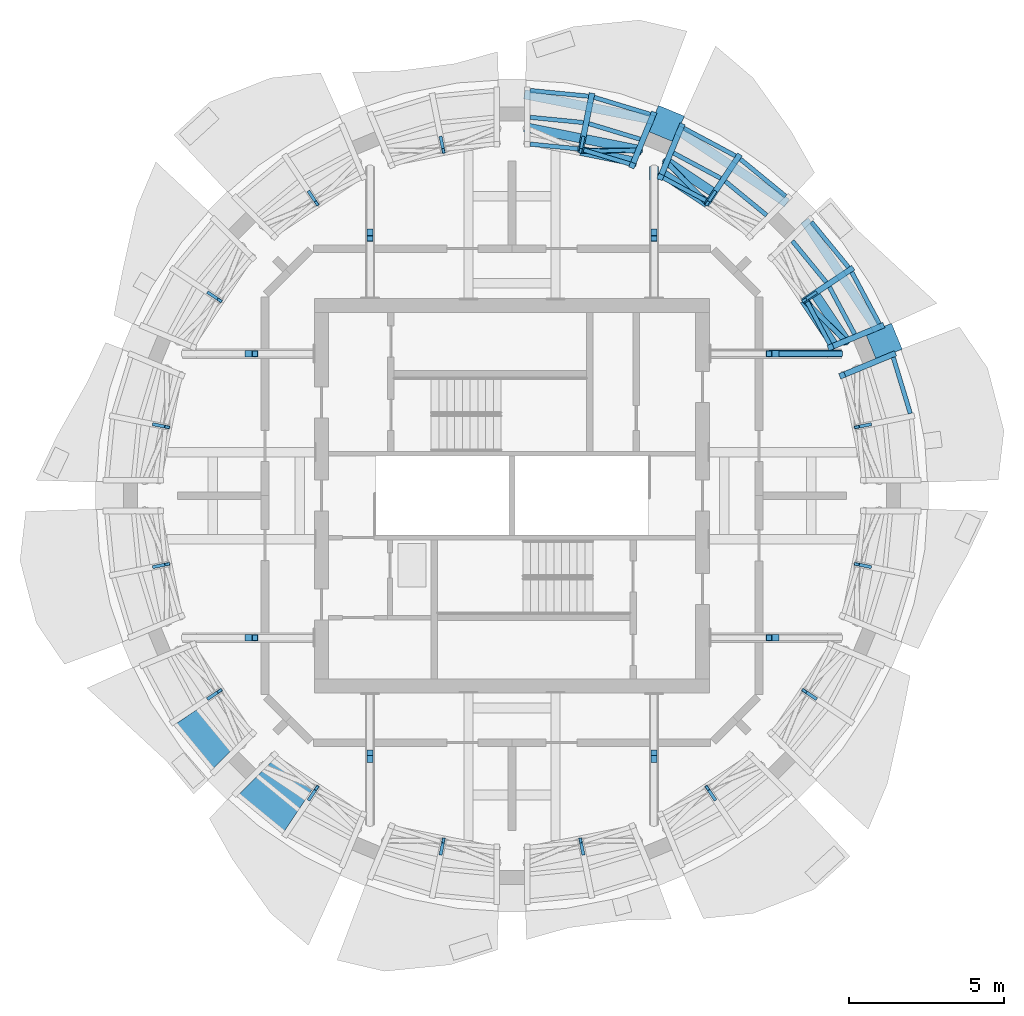
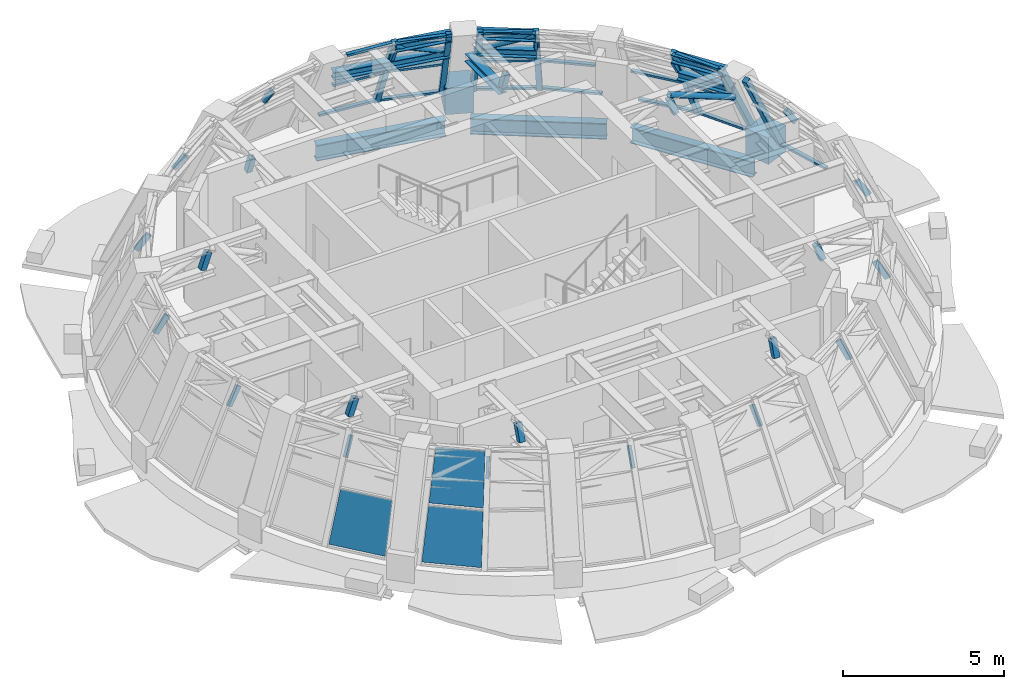
# One storey, part 6 of 12: 62 members, 3 beams, 3 plates, 6 elements without a shape of their own.
"""IFC4 building model written with IfcOpenShell, lengths in metres."""

from ifc_helpers import new_model, si_unit, direction, frame, origin, origin_2d, place, context, subcontext, project, spatial, polyline, rectangle, hollow_rectangle, hollow_circle, i_section, outline, extrude, material, layer, layer_set, material_profile, profile_set, type_object, element, aggregate, save


model = new_model("IFC4")

# Units and contexts
model_context = context("Model", 3, precision=1e-05, world=origin(), true_north=direction((0.0, 1.0)))
body_context = subcontext(model_context, "Body", "Model", "MODEL_VIEW")
ifc_project = project(units=[si_unit("LENGTHUNIT", "METRE"), si_unit("AREAUNIT", "SQUARE_METRE"), si_unit("VOLUMEUNIT", "CUBIC_METRE"), si_unit("PLANEANGLEUNIT", "RADIAN"), si_unit("MASSUNIT", "GRAM", prefix="KILO")], contexts=[model_context])

# Site, building, storey
site_placement = place(None, origin())
site = spatial("IfcSite", under=ifc_project, at=site_placement, CompositionType="ELEMENT")
building_placement = place(site_placement, origin())
building = spatial("IfcBuilding", under=site, at=building_placement, Name="Polderwave Tower", CompositionType="ELEMENT")
storey_placement = place(building_placement, frame((0.0, 0.0, 235.39990234375)))
storey = spatial("IfcBuildingStorey", under=building, at=storey_placement, Name="L64", CompositionType="ELEMENT", Elevation=235.39990234375)

# Members
ifc_material_1 = material(Name="Steel S460", Category="steel")
ifc_material_profile_1 = material_profile(ifc_material_1, i_section(OverallWidth=0.300048828125, OverallDepth=0.300048828125, WebThickness=0.010986328125, FlangeThickness=0.01904296875, at=origin_2d()), Name="HE 300 B")
ifc_profile_set_1 = profile_set([ifc_material_profile_1], Name="Steel S460")
member_type_1 = type_object("IfcMemberType", Name="BELT CHORD HE 300 B", PredefinedType="CHORD", material=ifc_profile_set_1)
member_1_placement = place(storey_placement, frame((10.4326171875, 4.75439453125, 3.25), z_axis=(-0.555617021697, 0.831438347203, 0.0), x_axis=(-0.831438347203, -0.555617021697, 0.0)))
element("IfcMember", 1, at=member_1_placement, inside=storey, type_object=member_type_1, Name="ST-BT-L64-01-TC1", PredefinedType="CHORD", context=body_context, shape_type="SweptSolid", body=[
    extrude(i_section(OverallWidth=0.300048828125, OverallDepth=0.300048828125, WebThickness=0.010986328125, FlangeThickness=0.01904296875, at=origin_2d()), origin(), (0.0, 0.0, 1.0), 1.8427734375),
])
member_2_placement = place(storey_placement, frame((10.806884765625, 4.9091796875, 2.35009765625), z_axis=(-0.555579245802, 0.831463590083, 0.0), x_axis=(-0.831463590083, -0.555579245802, 0.0)))
element("IfcMember", 2, at=member_2_placement, inside=storey, type_object=member_type_1, Name="ST-BT-L64-01-BC1", PredefinedType="CHORD", context=body_context, shape_type="SweptSolid", body=[
    extrude(i_section(OverallWidth=0.300048828125, OverallDepth=0.300048828125, WebThickness=0.010986328125, FlangeThickness=0.01904296875, at=origin_2d()), origin(), (0.0, 0.0, 1.0), 1.922119140625),
])
member_3_placement = place(storey_placement, frame((6.28662109375, 9.40869140625, 3.25), z_axis=(-0.831438347203, 0.555617021697, 0.0), x_axis=(-0.555617021697, -0.831438347203, 0.0)))
element("IfcMember", 3, at=member_3_placement, inside=storey, type_object=member_type_1, Name="ST-BT-L64-02-TC2", PredefinedType="CHORD", context=body_context, shape_type="SweptSolid", body=[
    extrude(i_section(OverallWidth=0.300048828125, OverallDepth=0.300048828125, WebThickness=0.010986328125, FlangeThickness=0.01904296875, at=origin_2d()), origin(), (0.0, 0.0, 1.0), 1.8427734375),
])
member_4_placement = place(storey_placement, frame((6.50732421875, 9.739013671875, 2.35009765625), z_axis=(-0.831463590083, 0.555579245802, 0.0), x_axis=(-0.555579245802, -0.831463590083, 0.0)))
element("IfcMember", 4, at=member_4_placement, inside=storey, type_object=member_type_1, Name="ST-BT-L64-02-BC2", PredefinedType="CHORD", context=body_context, shape_type="SweptSolid", body=[
    extrude(i_section(OverallWidth=0.300048828125, OverallDepth=0.300048828125, WebThickness=0.010986328125, FlangeThickness=0.01904296875, at=origin_2d()), origin(), (0.0, 0.0, 1.0), 1.922119140625),
])
member_5_placement = place(storey_placement, frame((4.01513671875, 10.73876953125, 3.25), z_axis=(-0.980778871524, 0.195122538865, 0.0), x_axis=(-0.195122538865, -0.980778871524, 0.0)))
element("IfcMember", 5, at=member_5_placement, inside=storey, type_object=member_type_1, Name="ST-BT-L64-03-TC1", PredefinedType="CHORD", context=body_context, shape_type="SweptSolid", body=[
    extrude(i_section(OverallWidth=0.300048828125, OverallDepth=0.300048828125, WebThickness=0.010986328125, FlangeThickness=0.01904296875, at=origin_2d()), origin(), (0.0, 0.0, 1.0), 1.843017578125),
])
member_6_placement = place(storey_placement, frame((4.170166015625, 11.113037109375, 2.35009765625), z_axis=(-0.980780477023, 0.195114468684, 0.0), x_axis=(-0.195114468684, -0.980780477023, 0.0)))
element("IfcMember", 6, at=member_6_placement, inside=storey, type_object=member_type_1, Name="ST-BT-L64-03-BC1", PredefinedType="CHORD", context=body_context, shape_type="SweptSolid", body=[
    extrude(i_section(OverallWidth=0.300048828125, OverallDepth=0.300048828125, WebThickness=0.010986328125, FlangeThickness=0.01904296875, at=origin_2d()), origin(), (0.0, 0.0, 1.0), 1.921875),
])
member_7_placement = place(storey_placement, frame((2.28515625, 11.488037109375, 2.35009765625), z_axis=(-0.980785312019, 0.195090163074, 0.0), x_axis=(-0.195090163074, -0.980785312019, 0.0)))
element("IfcMember", 7, at=member_7_placement, inside=storey, type_object=member_type_1, Name="ST-BT-L64-03-BC2", PredefinedType="CHORD", context=body_context, shape_type="SweptSolid", body=[
    extrude(i_section(OverallWidth=0.300048828125, OverallDepth=0.300048828125, WebThickness=0.010986328125, FlangeThickness=0.01904296875, at=origin_2d()), origin(), (0.0, 0.0, 1.0), 1.922119140625),
])
ifc_material_profile_2 = material_profile(ifc_material_1, hollow_circle(Radius=0.084228515625, WallThickness=0.008056640625, at=origin_2d()), Name="CHS 168.3x8")
ifc_profile_set_2 = profile_set([ifc_material_profile_2], Name="Steel S460")
member_type_2 = type_object("IfcMemberType", Name="BELT DIAGONAL CHS 168.3x8", PredefinedType="BRACE", material=ifc_profile_set_2)
for number, where, z_axis, x_axis, name in (
    (8, (10.806884765625, 4.9091796875, 2.35009765625), (-0.647553721279, 0.637942744099, 0.416777198644), (-0.701800503553, -0.71237353489, 0.0), "ST-BT-L64-01-D1"),
    (9, (6.28662109375, 9.40869140625, 3.25), (-0.637942744099, 0.647553721279, -0.416777198644), (-0.71237353489, -0.701800503553, 0.0), "ST-BT-L64-02-D2"),
    (10, (4.170166015625, 11.113037109375, 2.35009765625), (-0.908981434905, -0.006784287361, 0.416781386872), (0.007463407004, -0.99997214839, 0.0), "ST-BT-L64-03-D1"),
):
    element("IfcMember", number, at=place(storey_placement, frame(where, z_axis=z_axis, x_axis=x_axis)), inside=storey, type_object=member_type_2, Name=name, PredefinedType="BRACE", context=body_context, shape_type="SweptSolid", body=[
        extrude(hollow_circle(Radius=0.084228515625, WallThickness=0.008056640625, at=origin_2d()), origin(), (0.0, 0.0, 1.0), 2.1591796875),
    ])
ifc_material_profile_3 = material_profile(ifc_material_1, hollow_rectangle(XDim=0.10009765625, YDim=0.199951171875, WallThickness=0.008056640625, at=origin_2d()), Name="RHS 200x100x8")
ifc_profile_set_3 = profile_set([ifc_material_profile_3], Name="Steel S460")
member_type_3 = type_object("IfcMemberType", Name="BELT POST RHS 200x100x8", PredefinedType="POST", material=ifc_profile_set_3)
for number, where, z_axis, x_axis, name in (
    (11, (11.488037109375, 2.28515625, 2.5), (-0.541402678495, -0.107873466016, 0.83381440084), (0.195407059707, -0.980722224188, 0.0), "ST-BT-L64-00-P1"),
    (12, (9.739013671875, 6.50732421875, 2.5), (-0.458984668234, -0.306668248399, 0.833839109031), (0.555550817894, -0.831482584747, 0.0), "ST-BT-L64-01-P1"),
    (13, (6.50732421875, 9.739013671875, 2.5), (-0.306668248399, -0.458984668234, 0.833839109031), (0.831482584747, -0.555550817894, 0.0), "ST-BT-L64-02-P1"),
    (14, (2.28515625, 11.488037109375, 2.5), (-0.107873466016, -0.541402678495, 0.83381440084), (0.980722224188, -0.195407059707, 0.0), "ST-BT-L64-03-P1"),
    (15, (-2.28515625, 11.488037109375, 2.5), (0.107873466016, -0.541402678495, 0.83381440084), (0.980722224188, 0.195407059707, 0.0), "ST-BT-L64-04-P1"),
    (16, (-6.50732421875, 9.739013671875, 2.5), (0.306668248399, -0.458984668234, 0.833839109031), (0.831482584747, 0.555550817894, 0.0), "ST-BT-L64-05-P1"),
    (17, (-9.739013671875, 6.50732421875, 2.5), (0.458984668234, -0.306668248399, 0.833839109031), (0.555550817894, 0.831482584747, 0.0), "ST-BT-L64-06-P1"),
    (18, (-11.488037109375, 2.28515625, 2.5), (0.541402678495, -0.107873466016, 0.83381440084), (0.195407059707, 0.980722224188, 0.0), "ST-BT-L64-07-P1"),
    (19, (-11.488037109375, -2.28515625, 2.5), (0.541402678495, 0.107873466016, 0.83381440084), (-0.195407059707, 0.980722224188, 0.0), "ST-BT-L64-08-P1"),
    (20, (-9.739013671875, -6.50732421875, 2.5), (0.458984668234, 0.306668248399, 0.833839109031), (-0.555550817894, 0.831482584747, 0.0), "ST-BT-L64-09-P1"),
    (21, (-6.50732421875, -9.739013671875, 2.5), (0.306668248399, 0.458984668234, 0.833839109031), (-0.831482584747, 0.555550817894, 0.0), "ST-BT-L64-10-P1"),
    (22, (-2.28515625, -11.488037109375, 2.5), (0.107873466016, 0.541402678495, 0.83381440084), (-0.980722224188, 0.195407059707, 0.0), "ST-BT-L64-11-P1"),
    (23, (2.28515625, -11.488037109375, 2.5), (-0.107873466016, 0.541402678495, 0.83381440084), (-0.980722224188, -0.195407059707, 0.0), "ST-BT-L64-12-P1"),
    (24, (6.50732421875, -9.739013671875, 2.5), (-0.306668248399, 0.458984668234, 0.833839109031), (-0.831482584747, -0.555550817894, 0.0), "ST-BT-L64-13-P1"),
    (25, (9.739013671875, -6.50732421875, 2.5), (-0.458984668234, 0.306668248399, 0.833839109031), (-0.555550817894, -0.831482584747, 0.0), "ST-BT-L64-14-P1"),
    (26, (11.488037109375, -2.28515625, 2.5), (-0.541402678495, 0.107873466016, 0.83381440084), (-0.195407059707, -0.980722224188, 0.0), "ST-BT-L64-15-P1"),
):
    element("IfcMember", number, at=place(storey_placement, frame(where, z_axis=z_axis, x_axis=x_axis)), inside=storey, type_object=member_type_3, Name=name, PredefinedType="POST", context=body_context, shape_type="SweptSolid", body=[
        extrude(hollow_rectangle(XDim=0.10009765625, YDim=0.199951171875, WallThickness=0.008056640625, at=origin_2d()), origin(), (0.0, 0.0, 1.0), 0.7197265625),
    ])

# Curtain wall, member
ifc_material_2 = material(Name="Aluminium 6063-T6 and glass", Category="aluminium")
curtain_wall_type = type_object("IfcCurtainWallType", Name="Crown facet glazing wall", PredefinedType="NOTDEFINED", material=ifc_material_2)
curtain_wall_1_placement = place(storey_placement, origin())
curtain_wall_1 = element("IfcCurtainWall", 27, at=curtain_wall_1_placement, inside=storey, type_object=curtain_wall_type, Name="CROWN CW6 L64 00", PredefinedType="NOTDEFINED")
ifc_material_3 = material(Name="Aluminium 6063-T6", Category="aluminium")
ifc_material_profile_4 = material_profile(ifc_material_3, rectangle(XDim=0.18505859375, YDim=0.199951171875, at=origin_2d()), Name="AL 185x200")
ifc_profile_set_4 = profile_set([ifc_material_profile_4], Name="Aluminium 6063-T6")
member_type_4 = type_object("IfcMemberType", Name="Crown facet glazing mullion 185x200", PredefinedType="MULLION", material=ifc_profile_set_4)
member_8_placement = place(storey_placement, frame((12.264892578125, 4.547607421875, 0.0), z_axis=(-0.426153481267, -0.176411868684, 0.887283530215), x_axis=(0.382485993567, -0.923961289625, 0.0)))
member_8 = element("IfcMember", 28, at=member_8_placement, type_object=member_type_4, Name="CW6 mullion 3", PredefinedType="MULLION", context=body_context, shape_type="SweptSolid", body=[
    extrude(rectangle(XDim=0.18505859375, YDim=0.199951171875, at=origin_2d()), origin(), (0.0, 0.0, 1.0), 3.83203125),
])

# Curtain wall, members
curtain_wall_2_placement = place(storey_placement, origin())
curtain_wall_2 = element("IfcCurtainWall", 29, at=curtain_wall_2_placement, inside=storey, type_object=curtain_wall_type, Name="CROWN CW6 L64 01", PredefinedType="NOTDEFINED")
member_9_placement = place(storey_placement, frame((11.888427734375, 5.45654296875, 0.0), z_axis=(-0.426153481267, -0.176411868684, 0.887283530215), x_axis=(0.382485993567, -0.923961289625, 0.0)))
member_9 = element("IfcMember", 30, at=member_9_placement, type_object=member_type_4, Name="CW6 mullion 1", PredefinedType="MULLION", context=body_context, shape_type="SweptSolid", body=[
    extrude(rectangle(XDim=0.18505859375, YDim=0.199951171875, at=origin_2d()), origin(), (0.0, 0.0, 1.0), 3.83203125),
])
member_10_placement = place(storey_placement, frame((10.908935546875, 7.2890625, 0.0), z_axis=(-0.383574541444, -0.256289716032, 0.887235116873), x_axis=(0.555560344141, -0.831476219755, 0.0)))
member_10 = element("IfcMember", 31, at=member_10_placement, type_object=member_type_4, Name="CW6 mullion 2", PredefinedType="MULLION", context=body_context, shape_type="SweptSolid", body=[
    extrude(rectangle(XDim=0.18505859375, YDim=0.199951171875, at=origin_2d()), origin(), (0.0, 0.0, 1.0), 3.832275390625),
])

curtain_wall_3_placement = place(storey_placement, origin())
curtain_wall_3 = element("IfcCurtainWall", 32, at=curtain_wall_3_placement, inside=storey, type_object=curtain_wall_type, Name="CROWN CW6 L64 02", PredefinedType="NOTDEFINED")
member_11_placement = place(storey_placement, frame((7.2890625, 10.908935546875, 0.0), z_axis=(-0.256289716032, -0.383574541444, 0.887235116873), x_axis=(0.831476219755, -0.555560344141, 0.0)))
member_11 = element("IfcMember", 33, at=member_11_placement, type_object=member_type_4, Name="CW6 mullion 2", PredefinedType="MULLION", context=body_context, shape_type="SweptSolid", body=[
    extrude(rectangle(XDim=0.18505859375, YDim=0.199951171875, at=origin_2d()), origin(), (0.0, 0.0, 1.0), 3.832275390625),
])
member_12_placement = place(storey_placement, frame((5.45654296875, 11.888427734375, 0.0), z_axis=(-0.176411868684, -0.426153481267, 0.887283530215), x_axis=(0.923961289625, -0.382485993567, 0.0)))
member_12 = element("IfcMember", 34, at=member_12_placement, type_object=member_type_4, Name="CW6 mullion 3", PredefinedType="MULLION", context=body_context, shape_type="SweptSolid", body=[
    extrude(rectangle(XDim=0.18505859375, YDim=0.199951171875, at=origin_2d()), origin(), (0.0, 0.0, 1.0), 3.83203125),
])

curtain_wall_4_placement = place(storey_placement, origin())
curtain_wall_4 = element("IfcCurtainWall", 35, at=curtain_wall_4_placement, inside=storey, type_object=curtain_wall_type, Name="CROWN CW6 L64 03", PredefinedType="NOTDEFINED")
member_13_placement = place(storey_placement, frame((4.547607421875, 12.264892578125, 0.0), z_axis=(-0.176411868684, -0.426153481267, 0.887283530215), x_axis=(0.923961289625, -0.382485993567, 0.0)))
member_13 = element("IfcMember", 36, at=member_13_placement, type_object=member_type_4, Name="CW6 mullion 1", PredefinedType="MULLION", context=body_context, shape_type="SweptSolid", body=[
    extrude(rectangle(XDim=0.18505859375, YDim=0.199951171875, at=origin_2d()), origin(), (0.0, 0.0, 1.0), 3.83203125),
])
member_14_placement = place(storey_placement, frame((2.56005859375, 12.867919921875, 0.0), z_axis=(-0.090017110684, -0.452442689368, 0.88723871231), x_axis=(0.980776708375, -0.195133411565, 0.0)))
member_14 = element("IfcMember", 37, at=member_14_placement, type_object=member_type_4, Name="CW6 mullion 2", PredefinedType="MULLION", context=body_context, shape_type="SweptSolid", body=[
    extrude(rectangle(XDim=0.18505859375, YDim=0.199951171875, at=origin_2d()), origin(), (0.0, 0.0, 1.0), 3.832275390625),
])

# Member
ifc_material_profile_5 = material_profile(ifc_material_3, rectangle(XDim=0.139892578125, YDim=0.080078125, at=origin_2d()), Name="AL 80x140")
ifc_profile_set_5 = profile_set([ifc_material_profile_5], Name="Aluminium 6063-T6")
member_type_5 = type_object("IfcMemberType", Name="Crown facet glazing transom 80x140", PredefinedType="USERDEFINED", material=ifc_profile_set_5)
member_15_placement = place(storey_placement, frame((12.82080078125, 2.64453125, 0.0400390625), z_axis=(-0.290466801867, 0.956885069908, 0.0), x_axis=(-0.956885069908, -0.290466801867, 0.0)))
member_15 = element("IfcMember", 38, at=member_15_placement, type_object=member_type_5, Name="CW6 transom 4", ObjectType="TRANSOM", PredefinedType="USERDEFINED", context=body_context, shape_type="SweptSolid", body=[
    extrude(rectangle(XDim=0.139892578125, YDim=0.080078125, at=origin_2d()), origin(), (0.0, 0.0, 1.0), 1.8876953125),
])

aggregate(curtain_wall_1, [member_8, member_15])

member_16_placement = place(storey_placement, frame((11.82568359375, 5.5302734375, 0.0400390625), z_axis=(-0.471453547144, 0.881890896248, 0.0), x_axis=(-0.881890896248, -0.471453547144, 0.0)))
member_16 = element("IfcMember", 39, at=member_16_placement, type_object=member_type_5, Name="CW6 transom 1", ObjectType="TRANSOM", PredefinedType="USERDEFINED", context=body_context, shape_type="SweptSolid", body=[
    extrude(rectangle(XDim=0.139892578125, YDim=0.080078125, at=origin_2d()), origin(), (0.0, 0.0, 1.0), 1.888671875),
])

member_17_placement = place(storey_placement, frame((11.0283203125, 5.2001953125, 1.7001953125), z_axis=(-0.471582920737, 0.881821721704, 0.0), x_axis=(-0.881821721704, -0.471582920737, 0.0)))
member_17 = element("IfcMember", 40, at=member_17_placement, type_object=member_type_5, Name="CW6 transom 2", ObjectType="TRANSOM", PredefinedType="USERDEFINED", context=body_context, shape_type="SweptSolid", body=[
    extrude(rectangle(XDim=0.139892578125, YDim=0.080078125, at=origin_2d()), origin(), (0.0, 0.0, 1.0), 1.71923828125),
])

member_18_placement = place(storey_placement, frame((10.23095703125, 4.8701171875, 3.360107421875), z_axis=(-0.471552568485, 0.881837952889, 0.0), x_axis=(-0.881837952889, -0.471552568485, 0.0)))
member_18 = element("IfcMember", 41, at=member_18_placement, type_object=member_type_5, Name="CW6 transom 3", ObjectType="TRANSOM", PredefinedType="USERDEFINED", context=body_context, shape_type="SweptSolid", body=[
    extrude(rectangle(XDim=0.139892578125, YDim=0.080078125, at=origin_2d()), origin(), (0.0, 0.0, 1.0), 1.550048828125),
])

member_19_placement = place(storey_placement, frame((10.8330078125, 7.348876953125, 0.0400390625), z_axis=(-0.63454640673, 0.772884763536, 0.0), x_axis=(-0.772884763536, -0.63454640673, 0.0)))
member_19 = element("IfcMember", 42, at=member_19_placement, type_object=member_type_5, Name="CW6 transom 4", ObjectType="TRANSOM", PredefinedType="USERDEFINED", context=body_context, shape_type="SweptSolid", body=[
    extrude(rectangle(XDim=0.139892578125, YDim=0.080078125, at=origin_2d()), origin(), (0.0, 0.0, 1.0), 1.888427734375),
])

member_20_placement = place(storey_placement, frame((10.115234375, 6.869384765625, 1.7001953125), z_axis=(-0.634551629177, 0.772880475824, 0.0), x_axis=(-0.772880475824, -0.634551629177, 0.0)))
member_20 = element("IfcMember", 43, at=member_20_placement, type_object=member_type_5, Name="CW6 transom 5", ObjectType="TRANSOM", PredefinedType="USERDEFINED", context=body_context, shape_type="SweptSolid", body=[
    extrude(rectangle(XDim=0.139892578125, YDim=0.080078125, at=origin_2d()), origin(), (0.0, 0.0, 1.0), 1.718994140625),
])

aggregate(curtain_wall_2, [member_9, member_10, member_16, member_17, member_18, member_19, member_20])

member_21_placement = place(storey_placement, frame((8.808349609375, 9.634765625, 0.0400390625), z_axis=(-0.772884763536, 0.63454640673, 0.0), x_axis=(-0.63454640673, -0.772884763536, 0.0)))
member_21 = element("IfcMember", 44, at=member_21_placement, type_object=member_type_5, Name="CW6 transom 1", ObjectType="TRANSOM", PredefinedType="USERDEFINED", context=body_context, shape_type="SweptSolid", body=[
    extrude(rectangle(XDim=0.139892578125, YDim=0.080078125, at=origin_2d()), origin(), (0.0, 0.0, 1.0), 1.888427734375),
])

member_22_placement = place(storey_placement, frame((8.197998046875, 9.0244140625, 1.7001953125), z_axis=(-0.772880475824, 0.634551629177, 0.0), x_axis=(-0.634551629177, -0.772880475824, 0.0)))
member_22 = element("IfcMember", 45, at=member_22_placement, type_object=member_type_5, Name="CW6 transom 2", ObjectType="TRANSOM", PredefinedType="USERDEFINED", context=body_context, shape_type="SweptSolid", body=[
    extrude(rectangle(XDim=0.139892578125, YDim=0.080078125, at=origin_2d()), origin(), (0.0, 0.0, 1.0), 1.718994140625),
])

member_23_placement = place(storey_placement, frame((7.19580078125, 10.935302734375, 0.0400390625), z_axis=(-0.881890896248, 0.471453547144, 0.0), x_axis=(-0.471453547144, -0.881890896248, 0.0)))
member_23 = element("IfcMember", 46, at=member_23_placement, type_object=member_type_5, Name="CW6 transom 4", ObjectType="TRANSOM", PredefinedType="USERDEFINED", context=body_context, shape_type="SweptSolid", body=[
    extrude(rectangle(XDim=0.139892578125, YDim=0.080078125, at=origin_2d()), origin(), (0.0, 0.0, 1.0), 1.888671875),
])

member_24_placement = place(storey_placement, frame((6.71630859375, 10.217529296875, 1.7001953125), z_axis=(-0.881821721704, 0.471582920737, 0.0), x_axis=(-0.471582920737, -0.881821721704, 0.0)))
member_24 = element("IfcMember", 47, at=member_24_placement, type_object=member_type_5, Name="CW6 transom 5", ObjectType="TRANSOM", PredefinedType="USERDEFINED", context=body_context, shape_type="SweptSolid", body=[
    extrude(rectangle(XDim=0.139892578125, YDim=0.080078125, at=origin_2d()), origin(), (0.0, 0.0, 1.0), 1.71923828125),
])

member_25_placement = place(storey_placement, frame((6.237060546875, 9.5, 3.360107421875), z_axis=(-0.881837952889, 0.471552568485, 0.0), x_axis=(-0.471552568485, -0.881837952889, 0.0)))
member_25 = element("IfcMember", 48, at=member_25_placement, type_object=member_type_5, Name="CW6 transom 6", ObjectType="TRANSOM", PredefinedType="USERDEFINED", context=body_context, shape_type="SweptSolid", body=[
    extrude(rectangle(XDim=0.139892578125, YDim=0.080078125, at=origin_2d()), origin(), (0.0, 0.0, 1.0), 1.550048828125),
])

aggregate(curtain_wall_3, [member_11, member_12, member_21, member_22, member_23, member_24, member_25])

member_26_placement = place(storey_placement, frame((4.450927734375, 12.2724609375, 0.0400390625), z_axis=(-0.956885069908, 0.290466801867, 0.0), x_axis=(-0.290466801867, -0.956885069908, 0.0)))
member_26 = element("IfcMember", 49, at=member_26_placement, type_object=member_type_5, Name="CW6 transom 1", ObjectType="TRANSOM", PredefinedType="USERDEFINED", context=body_context, shape_type="SweptSolid", body=[
    extrude(rectangle(XDim=0.139892578125, YDim=0.080078125, at=origin_2d()), origin(), (0.0, 0.0, 1.0), 1.8876953125),
])

member_27_placement = place(storey_placement, frame((4.12109375, 11.47509765625, 1.7001953125), z_axis=(-0.956938361333, 0.290291185896, 0.0), x_axis=(-0.290291185896, -0.956938361333, 0.0)))
member_27 = element("IfcMember", 50, at=member_27_placement, type_object=member_type_5, Name="CW6 transom 2", ObjectType="TRANSOM", PredefinedType="USERDEFINED", context=body_context, shape_type="SweptSolid", body=[
    extrude(rectangle(XDim=0.139892578125, YDim=0.080078125, at=origin_2d()), origin(), (0.0, 0.0, 1.0), 1.718994140625),
])

member_28_placement = place(storey_placement, frame((3.791015625, 10.677978515625, 3.360107421875), z_axis=(-0.957033677059, 0.289976793855, 0.0), x_axis=(-0.289976793855, -0.957033677059, 0.0)))
member_28 = element("IfcMember", 51, at=member_28_placement, type_object=member_type_5, Name="CW6 transom 3", ObjectType="TRANSOM", PredefinedType="USERDEFINED", context=body_context, shape_type="SweptSolid", body=[
    extrude(rectangle(XDim=0.139892578125, YDim=0.080078125, at=origin_2d()), origin(), (0.0, 0.0, 1.0), 1.550048828125),
])

member_29_placement = place(storey_placement, frame((2.4638671875, 12.856689453125, 0.0400390625), z_axis=(-0.995227294554, 0.097583974986, 0.0), x_axis=(-0.097583974986, -0.995227294554, 0.0)))
member_29 = element("IfcMember", 52, at=member_29_placement, type_object=member_type_5, Name="CW6 transom 4", ObjectType="TRANSOM", PredefinedType="USERDEFINED", context=body_context, shape_type="SweptSolid", body=[
    extrude(rectangle(XDim=0.139892578125, YDim=0.080078125, at=origin_2d()), origin(), (0.0, 0.0, 1.0), 1.888916015625),
])

member_30_placement = place(storey_placement, frame((2.29541015625, 12.010009765625, 1.7001953125), z_axis=(-0.99519060674, 0.097957420635, 0.0), x_axis=(-0.097957420635, -0.99519060674, 0.0)))
member_30 = element("IfcMember", 53, at=member_30_placement, type_object=member_type_5, Name="CW6 transom 5", ObjectType="TRANSOM", PredefinedType="USERDEFINED", context=body_context, shape_type="SweptSolid", body=[
    extrude(rectangle(XDim=0.139892578125, YDim=0.080078125, at=origin_2d()), origin(), (0.0, 0.0, 1.0), 1.7197265625),
])

member_31_placement = place(storey_placement, frame((2.126953125, 11.163330078125, 3.360107421875), z_axis=(-0.995161131083, 0.098256415474, 0.0), x_axis=(-0.098256415474, -0.995161131083, 0.0)))
member_31 = element("IfcMember", 54, at=member_31_placement, type_object=member_type_5, Name="CW6 transom 6", ObjectType="TRANSOM", PredefinedType="USERDEFINED", context=body_context, shape_type="SweptSolid", body=[
    extrude(rectangle(XDim=0.139892578125, YDim=0.080078125, at=origin_2d()), origin(), (0.0, 0.0, 1.0), 1.550537109375),
])

aggregate(curtain_wall_4, [member_13, member_14, member_26, member_27, member_28, member_29, member_30, member_31])

# Members
ifc_material_profile_6 = material_profile(ifc_material_1, i_section(OverallWidth=0.300048828125, OverallDepth=0.2900390625, WebThickness=0.008544921875, FlangeThickness=0.013916015625, at=origin_2d()), Name="HE 300 A")
ifc_profile_set_6 = profile_set([ifc_material_profile_6], Name="Steel S460")
member_type_6 = type_object("IfcMemberType", Name="OUTRIGGER CHORD HE 300 A", PredefinedType="CHORD", material=ifc_profile_set_6)
member_32_placement = place(storey_placement, frame((4.571044921875, 8.496337890625, 2.34521484375), z_axis=(0.0, 1.0, 0.0), x_axis=(-1.0, 0.0, 0.0)))
element("IfcMember", 55, at=member_32_placement, inside=storey, type_object=member_type_6, Name="ST-OR-L64-03-BC2", PredefinedType="CHORD", context=body_context, shape_type="SweptSolid", body=[
    extrude(i_section(OverallWidth=0.300048828125, OverallDepth=0.2900390625, WebThickness=0.008544921875, FlangeThickness=0.013916015625, at=origin_2d()), origin(), (0.0, 0.0, 1.0), 2.106201171875),
])
ifc_material_profile_7 = material_profile(ifc_material_1, hollow_circle(Radius=0.109619140625, WallThickness=0.010009765625, at=origin_2d()), Name="CHS 219.1x10")
ifc_profile_set_7 = profile_set([ifc_material_profile_7], Name="Steel S460")
member_type_7 = type_object("IfcMemberType", Name="OUTRIGGER DIAGONAL CHS 219.1x10", PredefinedType="BRACE", material=ifc_profile_set_7)
member_33_placement = place(storey_placement, frame((8.274658203125, 4.571044921875, 3.255126953125), z_axis=(0.931378186214, 0.0, -0.364053120086), x_axis=(0.0, 1.0, 0.0)))
element("IfcMember", 56, at=member_33_placement, inside=storey, type_object=member_type_7, Name="ST-OR-L64-01-D2", PredefinedType="BRACE", context=body_context, shape_type="SweptSolid", body=[
    extrude(hollow_circle(Radius=0.109619140625, WallThickness=0.010009765625, at=origin_2d()), origin(), (0.0, 0.0, 1.0), 2.49951171875),
])
ifc_material_profile_8 = material_profile(ifc_material_1, hollow_rectangle(XDim=0.199951171875, YDim=0.199951171875, WallThickness=0.010009765625, at=origin_2d()), Name="SHS 200x200x10")
ifc_profile_set_8 = profile_set([ifc_material_profile_8], Name="Steel S460")
member_type_8 = type_object("IfcMemberType", Name="OUTRIGGER POST SHS 200x200x10", PredefinedType="POST", material=ifc_profile_set_8)
for number, where, z_axis, x_axis, name in (
    (57, (8.496337890625, 4.571044921875, 2.489990234375), (-0.336618199954, 0.0, 0.941641220136), (0.0, -1.0, 0.0), "ST-OR-L64-01-P1"),
    (58, (4.571044921875, 8.496337890625, 2.489990234375), (0.0, -0.336618199954, 0.941641220136), (1.0, 0.0, 0.0), "ST-OR-L64-03-P1"),
    (59, (-4.571044921875, 8.496337890625, 2.489990234375), (0.0, -0.336618199954, 0.941641220136), (1.0, 0.0, 0.0), "ST-OR-L64-05-P1"),
    (60, (-8.496337890625, 4.571044921875, 2.489990234375), (0.336618199954, 0.0, 0.941641220136), (0.0, 1.0, 0.0), "ST-OR-L64-07-P1"),
    (61, (-8.496337890625, -4.571044921875, 2.489990234375), (0.336618199954, 0.0, 0.941641220136), (0.0, 1.0, 0.0), "ST-OR-L64-09-P1"),
    (62, (-4.571044921875, -8.496337890625, 2.489990234375), (0.0, 0.336618199954, 0.941641220136), (-1.0, 0.0, 0.0), "ST-OR-L64-11-P1"),
    (63, (4.571044921875, -8.496337890625, 2.489990234375), (0.0, 0.336618199954, 0.941641220136), (-1.0, 0.0, 0.0), "ST-OR-L64-13-P1"),
    (64, (8.496337890625, -4.571044921875, 2.489990234375), (-0.336618199954, 0.0, 0.941641220136), (0.0, -1.0, 0.0), "ST-OR-L64-15-P1"),
):
    element("IfcMember", number, at=place(storey_placement, frame(where, z_axis=z_axis, x_axis=x_axis)), inside=storey, type_object=member_type_8, Name=name, PredefinedType="POST", context=body_context, shape_type="SweptSolid", body=[
        extrude(hollow_rectangle(XDim=0.199951171875, YDim=0.199951171875, WallThickness=0.010009765625, at=origin_2d()), origin(), (0.0, 0.0, 1.0), 0.658447265625),
    ])
ifc_material_4 = material(Name="Concrete C60/75", Category="concrete")
ifc_material_profile_9 = material_profile(ifc_material_4, rectangle(XDim=0.89990234375, YDim=0.89990234375, at=origin_2d()), Name="RC 900x900")
ifc_profile_set_9 = profile_set([ifc_material_profile_9], Name="Concrete C60/75")
member_type_9 = type_object("IfcMemberType", Name="RC NODE 900x900 C60/75", PredefinedType="POST", material=ifc_profile_set_9)
for number, where, z_axis, x_axis, name in (
    (65, (11.972412109375, 4.959228515625, -0.5), (0.0, 0.0, 1.0), (0.923879532511, 0.382683432365, 0.0), "Ring column node 02"),
    (66, (4.959228515625, 11.972412109375, -0.5), (0.0, 0.0, 1.0), (0.382683432365, 0.923879532511, 0.0), "Ring column node 04"),
):
    element("IfcMember", number, at=place(storey_placement, frame(where, z_axis=z_axis, x_axis=x_axis)), inside=storey, type_object=member_type_9, Name=name, PredefinedType="POST", context=body_context, shape_type="SweptSolid", body=[
        extrude(rectangle(XDim=0.89990234375, YDim=0.89990234375, at=origin_2d()), origin(), (0.0, 0.0, 1.0), 1.0),
    ])

# Beams
ifc_material_5 = material(Name="Steel S355", Category="steel")
ifc_material_profile_10 = material_profile(ifc_material_5, i_section(OverallWidth=0.300048828125, OverallDepth=0.60009765625, WebThickness=0.015380859375, FlangeThickness=0.030029296875, at=origin_2d()), Name="HE 600 B")
ifc_profile_set_10 = profile_set([ifc_material_profile_10], Name="Steel S355")
beam_type = type_object("IfcBeamType", Name="RING BEAM HE 600 B", PredefinedType="BEAM", material=ifc_profile_set_10)
for number, where, z_axis, x_axis, name in (
    (67, (11.783935546875, 5.31396484375, -1.199951171875), (-0.555586659811, 0.831458636036, 0.0), (-0.831458636036, -0.555586659811, 0.0), "ST-RB-L64-01"),
    (68, (8.853271484375, 9.4189453125, -1.199951171875), (-0.831458636036, 0.555586659811, 0.0), (-0.555586659811, -0.831458636036, 0.0), "ST-RB-L64-02"),
    (69, (4.574951171875, 12.090087890625, -1.199951171875), (-0.980791868575, 0.195057198118, 0.0), (-0.195057198118, -0.980791868575, 0.0), "ST-RB-L64-03"),
):
    element("IfcBeam", number, at=place(storey_placement, frame(where, z_axis=z_axis, x_axis=x_axis)), inside=storey, type_object=beam_type, Name=name, PredefinedType="BEAM", context=body_context, shape_type="SweptSolid", body=[
        extrude(i_section(OverallWidth=0.300048828125, OverallDepth=0.60009765625, WebThickness=0.015380859375, FlangeThickness=0.030029296875, at=origin_2d()), origin(), (0.0, 0.0, 1.0), 4.2568359375),
    ])

# Curtain wall, plate
curtain_wall_5_placement = place(storey_placement, origin())
curtain_wall_5 = element("IfcCurtainWall", 70, at=curtain_wall_5_placement, inside=storey, type_object=curtain_wall_type, Name="CROWN CW6 L64 09", PredefinedType="NOTDEFINED")
ifc_material_6 = material(Name="Glass, low-e laminated double glazing", Category="glass")
ifc_layer = layer(ifc_material_6, 0.0400390625)
ifc_layer_set = layer_set([ifc_layer], Name="Crown facet glazing glass panel 40 mm")
plate_type = type_object("IfcPlateType", Name="Crown facet glazing glass panel 40 mm", PredefinedType="CURTAIN_PANEL", material=ifc_layer_set)
plate_1_placement = place(storey_placement, frame((-10.815673828125, -7.33740234375, 0.080078125), z_axis=(-0.686398662579, -0.563593472313, 0.459585981048), x_axis=(0.634569207591, -0.772866042559, -3.2205409e-05)))
plate_1 = element("IfcPlate", 71, at=plate_1_placement, type_object=plate_type, Name="CROWN CW6 panel 3", PredefinedType="CURTAIN_PANEL", context=body_context, shape_type="SweptSolid", body=[
    extrude(outline(polyline([(0.0, 0.0), (1.884187342147213, -1.1102230246251565e-16), (1.8037784308601756, 1.7791656388283776), (0.08076893942596736, 1.7790348349818563), (0.0, 0.0)])), origin(), (0.0, 0.0, -1.0), 0.0400390625),
])
aggregate(curtain_wall_5, [plate_1])

# Curtain wall, plates
curtain_wall_6_placement = place(storey_placement, origin())
curtain_wall_6 = element("IfcCurtainWall", 72, at=curtain_wall_6_placement, inside=storey, type_object=curtain_wall_type, Name="CROWN CW6 L64 10", PredefinedType="NOTDEFINED")
plate_2_placement = place(storey_placement, frame((-8.793701171875, -9.6201171875, 0.080078125), z_axis=(-0.563593472313, -0.686398662579, 0.459585981048), x_axis=(0.772866042559, -0.634569207591, 3.2205409e-05)))
plate_2 = element("IfcPlate", 73, at=plate_2_placement, type_object=plate_type, Name="CROWN CW6 panel 1", PredefinedType="CURTAIN_PANEL", context=body_context, shape_type="SweptSolid", body=[
    extrude(outline(polyline([(0.0, 0.0), (1.884187342147213, 1.1102230246251565e-16), (1.8034184027212457, 1.7790348349818563), (0.08040891128703725, 1.7791656388283779), (0.0, 0.0)])), origin(), (0.0, 0.0, -1.0), 0.0400390625),
])
plate_3_placement = place(storey_placement, frame((-8.183349609375, -9.009765625, 1.739990234375), z_axis=(-0.563601634084, -0.686391961849, 0.459585979734), x_axis=(0.772859616268, -0.634577034153, 3.5612988e-05)))
plate_3 = element("IfcPlate", 74, at=plate_3_placement, type_object=plate_type, Name="CROWN CW6 panel 2", PredefinedType="CURTAIN_PANEL", context=body_context, shape_type="SweptSolid", body=[
    extrude(outline(polyline([(0.0, 0.0), (1.7148839594572038, 0.0), (1.634112125595486, 1.779034703507517), (0.08040601384060099, 1.779165769711965), (0.0, 0.0)])), origin(), (0.0, 0.0, -1.0), 0.0400390625),
])
aggregate(curtain_wall_6, [plate_2, plate_3])

save(model, "model.ifc")
